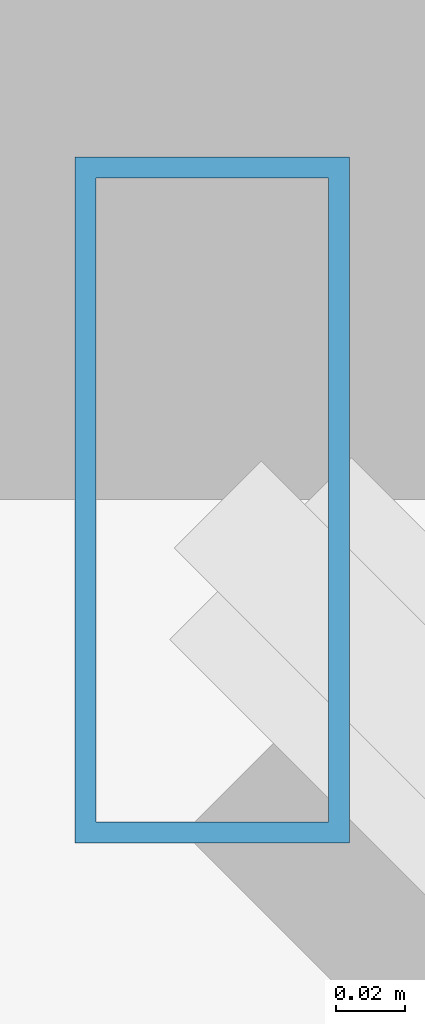
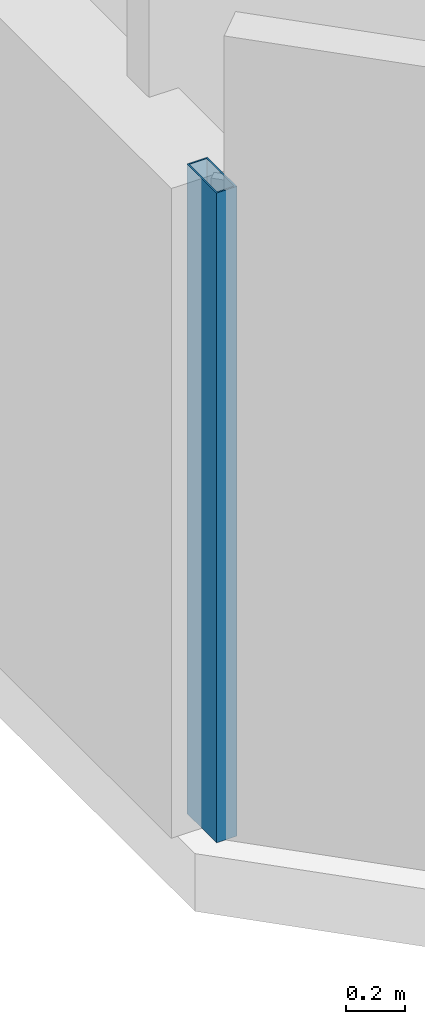
# One storey, part 6 of 33: 1 member, 1 element without a shape of its own.
"""IFC4 building model written with IfcOpenShell, lengths in metres."""

from ifc_helpers import new_model, si_unit, direction, frame, origin, origin_2d, place, context, subcontext, project, spatial, hollow_rectangle, extrude, material, material_profile, profile_set, type_object, element, aggregate, save


model = new_model("IFC4")

# Units and contexts
model_context = context("Model", 3, precision=1e-05, world=origin(), true_north=direction((0.0, 1.0)))
body_context = subcontext(model_context, "Body", "Model", "MODEL_VIEW")
ifc_project = project(units=[si_unit("LENGTHUNIT", "METRE"), si_unit("AREAUNIT", "SQUARE_METRE"), si_unit("VOLUMEUNIT", "CUBIC_METRE"), si_unit("PLANEANGLEUNIT", "RADIAN"), si_unit("MASSUNIT", "GRAM", prefix="KILO")], contexts=[model_context])

# Site, building, storey
site_placement = place(None, origin())
site = spatial("IfcSite", under=ifc_project, at=site_placement, CompositionType="ELEMENT")
building_placement = place(site_placement, origin())
building = spatial("IfcBuilding", under=site, at=building_placement, Name="Thornwick Lancets Civic Towers", CompositionType="ELEMENT")
storey_placement = place(building_placement, frame((0.0, 0.0, 163.5)))
storey = spatial("IfcBuildingStorey", under=building, at=storey_placement, Name="L43", CompositionType="ELEMENT", Elevation=163.5)

# Curtain wall, member
ifc_material_1 = material(Name="Mid-zone chamfered-corner unitised glass curtain wall", Category="glass")
curtain_wall_type = type_object("IfcCurtainWallType", Name="CW_SYS_04", PredefinedType="NOTDEFINED", material=ifc_material_1)
curtain_wall_placement = place(storey_placement, origin())
curtain_wall = element("IfcCurtainWall", 1, at=curtain_wall_placement, inside=storey, type_object=curtain_wall_type, Name="L43 Curtain Wall CW-L43-B-E7", PredefinedType="NOTDEFINED")
ifc_material_2 = material(Name="Thermally broken bronze aluminium S355", Category="steel")
ifc_material_profile = material_profile(ifc_material_2, hollow_rectangle(XDim=0.080078125, YDim=0.199951171875, WallThickness=0.006103515625, at=origin_2d()), Name="RHS 200x80x6")
ifc_profile_set = profile_set([ifc_material_profile], Name="Thermally broken bronze aluminium S355")
member_type = type_object("IfcMemberType", Name="CW_MUL_200", PredefinedType="MULLION", material=ifc_profile_set)
member_placement = place(storey_placement, frame((70.7353515625, 11.818603515625, 0.0), z_axis=(0.0, 0.0, 1.0), x_axis=(1.0, 0.0, 0.0)))
member = element("IfcMember", 2, at=member_placement, type_object=member_type, Name="CW-L43-B-E7 Mullion 0", PredefinedType="MULLION", context=body_context, shape_type="SweptSolid", body=[
    extrude(hollow_rectangle(XDim=0.080078125, YDim=0.199951171875, WallThickness=0.006103515625, at=origin_2d()), origin(), (0.0, 0.0, 1.0), 2.699951171875),
])
aggregate(curtain_wall, [member])

save(model, "model.ifc")
